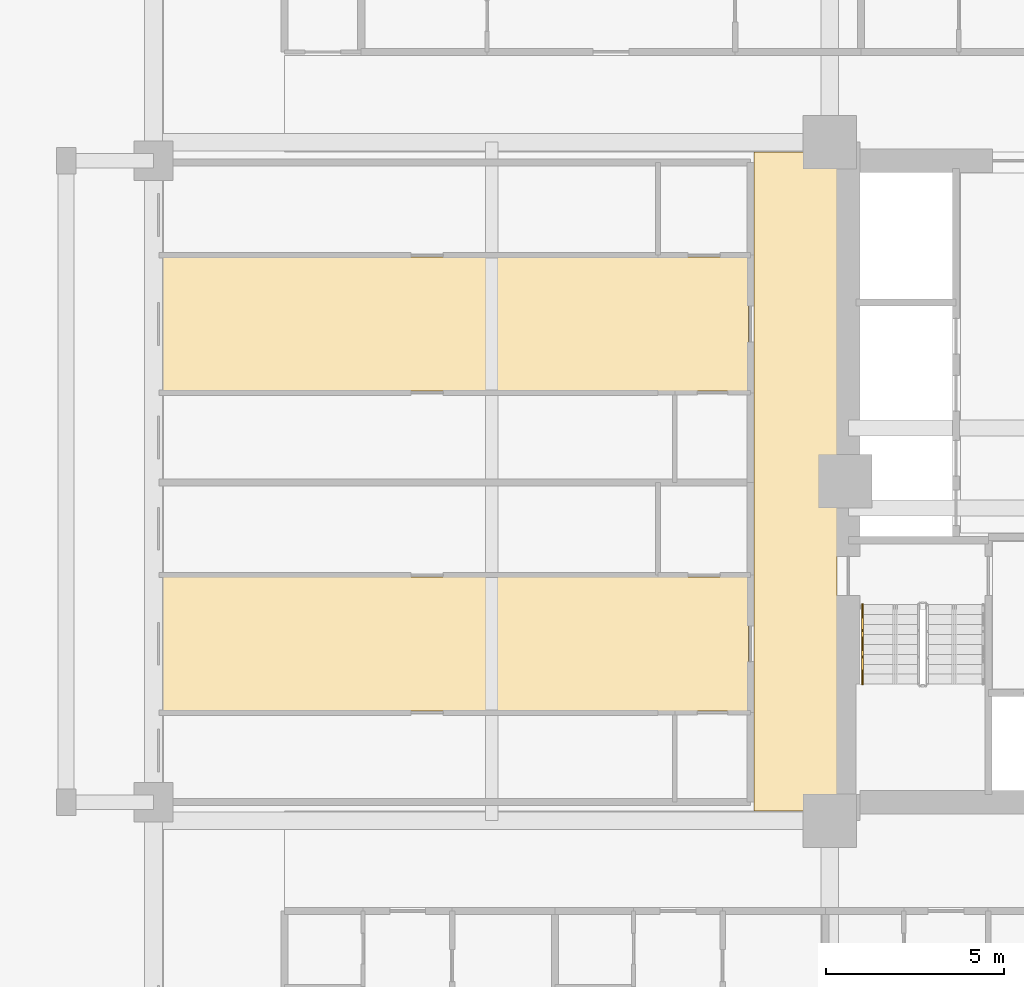
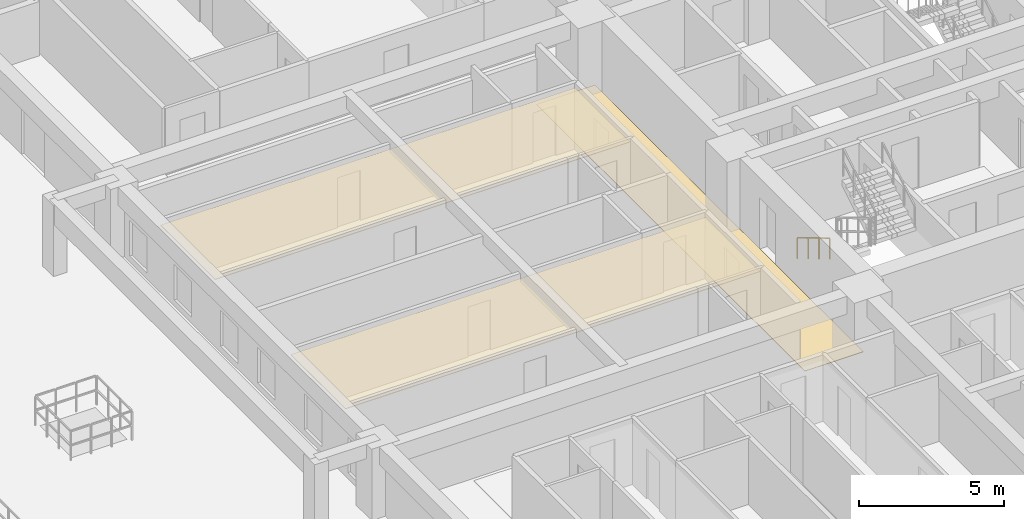
# One storey, part 14 of 19: 3 coverings, 1 railing.
"""IFC4 building model written with IfcOpenShell, lengths in metres."""

from ifc_helpers import new_model, si_unit, direction, frame, origin, origin_2d, place, context, subcontext, project, spatial, polyline, rectangle, outline, extrude, material, layer, layer_set, type_object, element, save


model = new_model("IFC4")

# Units and contexts
model_context = context("Model", 3, precision=1e-05, world=origin(), true_north=direction((0.0, 1.0)))
body_context = subcontext(model_context, "Body", "Model", "MODEL_VIEW")
ifc_project = project(units=[si_unit("LENGTHUNIT", "METRE"), si_unit("AREAUNIT", "SQUARE_METRE"), si_unit("VOLUMEUNIT", "CUBIC_METRE"), si_unit("PLANEANGLEUNIT", "RADIAN"), si_unit("MASSUNIT", "GRAM", prefix="KILO")], contexts=[model_context])

# Site, building, storey
site_placement = place(None, origin())
site = spatial("IfcSite", under=ifc_project, at=site_placement, CompositionType="ELEMENT")
building_placement = place(site_placement, origin())
building = spatial("IfcBuilding", under=site, at=building_placement, Name="Saelheon Loggia Tower", CompositionType="ELEMENT")
storey_placement = place(building_placement, frame((0.0, 0.0, 19.39990234375)))
storey = spatial("IfcBuildingStorey", under=building, at=storey_placement, Name="L05", CompositionType="ELEMENT", Elevation=19.39990234375)

# Coverings
ifc_material_1 = material(Name="Mineral-Fibre Acoustic Ceiling Board", Category="gypsum")
ifc_layer_1 = layer(ifc_material_1, 0.02490234375)
ifc_layer_set_1 = layer_set([ifc_layer_1], Name="Mineral-Fibre Acoustic Ceiling Board")
covering_type_1 = type_object("IfcCoveringType", Name="Cov_Ceiling_Acoustic", PredefinedType="CEILING", material=ifc_layer_set_1)
covering_1_placement = place(storey_placement, frame((0.0, 0.0, 2.53515625)))
element("IfcCovering", 1, at=covering_1_placement, inside=storey, type_object=covering_type_1, Name="L05 Acoustic Suspended Ceiling", PredefinedType="CEILING", context=body_context, shape_type="SweptSolid", body=[
    extrude(outline(polyline([(12.199951171875, 20.56298828125), (28.699951171875, 20.56298828125), (28.699951171875, 24.324951171875), (12.199951171875, 24.324951171875), (12.199951171875, 20.56298828125)])), origin(), (0.0, 0.0, 1.0), 0.02490234375),
])
covering_2_placement = place(storey_placement, frame((0.0, 0.0, 2.53515625)))
element("IfcCovering", 2, at=covering_2_placement, inside=storey, type_object=covering_type_1, Name="L05 Acoustic Suspended Ceiling", PredefinedType="CEILING", context=body_context, shape_type="SweptSolid", body=[
    extrude(outline(polyline([(12.199951171875, 29.5380859375), (28.699951171875, 29.5380859375), (28.699951171875, 33.300048828125), (12.199951171875, 33.300048828125), (12.199951171875, 29.5380859375)])), origin(), (0.0, 0.0, 1.0), 0.02490234375),
])
ifc_material_2 = material(Name="Vitrified Porcelain Floor Tile", Category="ceramic")
ifc_layer_2 = layer(ifc_material_2, 0.02001953125)
ifc_layer_set_2 = layer_set([ifc_layer_2], Name="Vitrified Porcelain Floor Tile")
covering_type_2 = type_object("IfcCoveringType", Name="Cov_Floor_Porcelain", PredefinedType="FLOORING", material=ifc_layer_set_2)
covering_3_placement = place(storey_placement, origin())
element("IfcCovering", 3, at=covering_3_placement, inside=storey, type_object=covering_type_2, Name="L05 Corridor Porcelain Flooring", PredefinedType="FLOORING", context=body_context, shape_type="SweptSolid", body=[
    extrude(outline(polyline([(28.85009765625, 17.75), (31.179931640625, 17.75), (31.179931640625, 36.25), (28.85009765625, 36.25), (28.85009765625, 17.75)])), origin(), (0.0, 0.0, 1.0), 0.02001953125),
])

# Railing
ifc_material_3 = material(Name="Stainless Steel 304 Tubular Handrail", Category="steel")
railing_type = type_object("IfcRailingType", Name="Handrail_Stair_RL_HR1", PredefinedType="HANDRAIL", material=ifc_material_3)
railing_placement = place(storey_placement, frame((31.89990234375, 23.550048828125, 0.166748046875)))
element("IfcRailing", 4, at=railing_placement, inside=storey, type_object=railing_type, Name="L05 ST1 stair handrail 1", PredefinedType="HANDRAIL", context=body_context, shape_type="SweptSolid", body=[
    extrude(rectangle(XDim=0.048095703125, YDim=0.048095703125, at=origin_2d()), frame((0.0, -0.028564453125, 0.892822265625), z_axis=(0.0, -0.859305625298, 0.511462454469), x_axis=(1.0, 0.0, 0.0)), (0.0, 0.0, 1.0), 0.802490234375),
    extrude(rectangle(XDim=0.048095703125, YDim=0.048095703125, at=origin_2d()), frame((0.0, -0.775146484375, 1.337158203125), z_axis=(0.0, -0.859305625298, 0.511462454469), x_axis=(1.0, 0.0, 0.0)), (0.0, 0.0, 1.0), 0.802490234375),
    extrude(rectangle(XDim=0.048095703125, YDim=0.048095703125, at=origin_2d()), frame((0.0, -1.52197265625, 1.78173828125), z_axis=(0.0, -0.859305625298, 0.511462454469), x_axis=(1.0, 0.0, 0.0)), (0.0, 0.0, 1.0), 0.802490234375),
    extrude(rectangle(XDim=0.0419921875, YDim=0.0419921875, at=origin_2d()), origin(), (0.0, 0.0, 1.0), 0.847900390625),
    extrude(rectangle(XDim=0.0419921875, YDim=0.0419921875, at=origin_2d()), frame((0.0, -0.74658203125, 0.4443359375)), (0.0, 0.0, 1.0), 0.847900390625),
    extrude(rectangle(XDim=0.0419921875, YDim=0.0419921875, at=origin_2d()), frame((0.0, -1.493408203125, 0.888916015625)), (0.0, 0.0, 1.0), 0.847900390625),
    extrude(rectangle(XDim=0.0419921875, YDim=0.0419921875, at=origin_2d()), frame((0.0, -2.239990234375, 1.333251953125)), (0.0, 0.0, 1.0), 0.847900390625),
])

save(model, "model.ifc")
